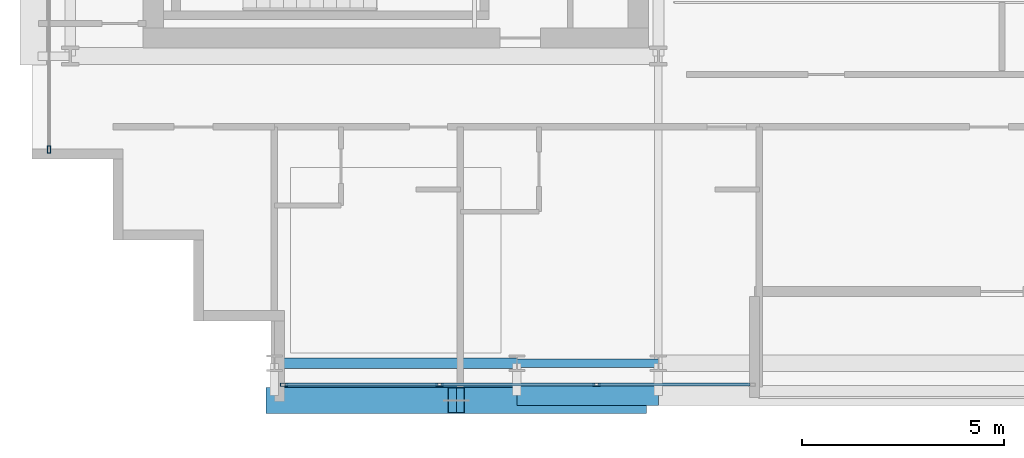
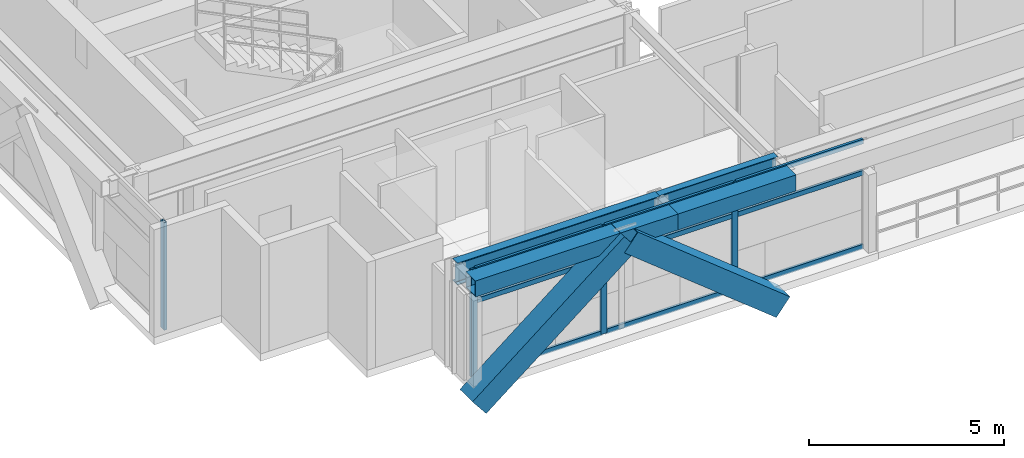
# One storey, part 2 of 31: 15 members, 4 beams, 2 elements without a shape of their own.
"""IFC4 building model written with IfcOpenShell, lengths in metres."""

from ifc_helpers import new_model, si_unit, direction, frame, origin, origin_2d, place, context, subcontext, project, spatial, hollow_rectangle, i_section, extrude, source, transform, mapped, material, layer, layer_set, material_profile, profile_set, type_object, element, aggregate, save


model = new_model("IFC4")

# Units and contexts
model_context = context("Model", 3, precision=1e-05, world=origin(), true_north=direction((0.0, 1.0)))
body_context = subcontext(model_context, "Body", "Model", "MODEL_VIEW")
ifc_project = project(units=[si_unit("LENGTHUNIT", "METRE"), si_unit("AREAUNIT", "SQUARE_METRE"), si_unit("VOLUMEUNIT", "CUBIC_METRE"), si_unit("PLANEANGLEUNIT", "RADIAN"), si_unit("MASSUNIT", "GRAM", prefix="KILO")], contexts=[model_context])

# Site, building, storey
site_placement = place(None, origin())
site = spatial("IfcSite", under=ifc_project, at=site_placement, CompositionType="ELEMENT")
building_placement = place(site_placement, origin())
building = spatial("IfcBuilding", under=site, at=building_placement, Name="Ocotamira Hotel", CompositionType="ELEMENT")
storey_placement = place(building_placement, frame((0.0, 0.0, 210.0)))
storey = spatial("IfcBuildingStorey", under=building, at=storey_placement, Name="L53", CompositionType="ELEMENT", Elevation=210.0)

# Beams
ifc_material_1 = material(Name="Steel ASTM A992 Grade 50", Category="steel")
ifc_material_profile_1 = material_profile(ifc_material_1, i_section(OverallWidth=0.256103515625, OverallDepth=0.693115234375, WebThickness=0.014404296875, FlangeThickness=0.023681640625, FilletRadius=0.01611328125, at=origin_2d()), Name="W27X114")
ifc_profile_set_1 = profile_set([ifc_material_profile_1], Name="Steel ASTM A992 Grade 50")
beam_type_1 = type_object("IfcBeamType", Name="BM-PRIM-W27X114", PredefinedType="BEAM", material=ifc_profile_set_1)
shared_shape_1 = source(origin(), body_context, "Body", "SweptSolid", [
    extrude(i_section(OverallWidth=0.256103515625, OverallDepth=0.693115234375, WebThickness=0.014404296875, FlangeThickness=0.023681640625, FilletRadius=0.01611328125, at=origin_2d()), origin(), (0.0, 0.0, 1.0), 6.0),
])
beam_1_placement = place(storey_placement, frame((14.0, 6.949951171875, 3.0234375), z_axis=(1.0, 0.0, 0.0), x_axis=(0.0, 1.0, 0.0)))
element("IfcBeam", 1, at=beam_1_placement, inside=storey, type_object=beam_type_1, Name="L53 Girder Y6.95 X14-20", PredefinedType="BEAM", context=body_context, shape_type="MappedRepresentation", body=[
    mapped(shared_shape_1, transform((0.0, 0.0, 0.0), scale=1.0)),
])
ifc_material_profile_2 = material_profile(ifc_material_1, i_section(OverallWidth=0.2099609375, OverallDepth=0.537109375, WebThickness=0.010986328125, FlangeThickness=0.017333984375, FilletRadius=0.012939453125, at=origin_2d()), Name="W21X68")
ifc_profile_set_2 = profile_set([ifc_material_profile_2], Name="Steel ASTM A992 Grade 50")
beam_type_2 = type_object("IfcBeamType", Name="BM-SEC-W21X68", PredefinedType="JOIST", material=ifc_profile_set_2)
shared_shape_2 = source(origin(), body_context, "Body", "SweptSolid", [
    extrude(i_section(OverallWidth=0.2099609375, OverallDepth=0.537109375, WebThickness=0.010986328125, FlangeThickness=0.017333984375, FilletRadius=0.012939453125, at=origin_2d()), origin(), (0.0, 0.0, 1.0), 3.5),
])
beam_2_placement = place(storey_placement, frame((20.0, 6.949951171875, 3.1015625), z_axis=(1.0, 0.0, 0.0), x_axis=(0.0, 1.0, 0.0)))
element("IfcBeam", 2, at=beam_2_placement, inside=storey, type_object=beam_type_2, Name="L53 Girder Y6.95 X20-23.5", PredefinedType="JOIST", context=body_context, shape_type="MappedRepresentation", body=[
    mapped(shared_shape_2, transform((0.0, 0.0, 0.0), scale=1.0)),
])
ifc_material_2 = material(Name="Steel ASTM A500 Grade C", Category="steel")
ifc_material_profile_3 = material_profile(ifc_material_2, hollow_rectangle(XDim=0.5, YDim=0.5, WallThickness=0.02001953125, at=origin_2d()), Name="HSS500X500X20")
ifc_profile_set_3 = profile_set([ifc_material_profile_3], Name="Steel ASTM A500 Grade C")
beam_type_3 = type_object("IfcBeamType", Name="BM-SPAN-HSS500", PredefinedType="USERDEFINED", material=ifc_profile_set_3)
shared_shape_3 = source(origin(), body_context, "Body", "SweptSolid", [
    extrude(hollow_rectangle(XDim=0.5, YDim=0.5, WallThickness=0.02001953125, at=origin_2d()), origin(), (0.0, 0.0, 1.0), 6.0),
])
beam_3_placement = place(storey_placement, frame((14.0, 6.14990234375, 3.1201171875), z_axis=(1.0, 0.0, 0.0), x_axis=(0.0, 1.0, 0.0)))
element("IfcBeam", 3, at=beam_3_placement, inside=storey, type_object=beam_type_3, Name="L53 Edge Spandrel S X14-20", ObjectType="SPANDREL", PredefinedType="USERDEFINED", context=body_context, shape_type="MappedRepresentation", body=[
    mapped(shared_shape_3, transform((0.0, 0.0, 0.0), scale=1.0)),
])
shared_shape_4 = source(origin(), body_context, "Body", "SweptSolid", [
    extrude(hollow_rectangle(XDim=0.5, YDim=0.5, WallThickness=0.02001953125, at=origin_2d()), origin(), (0.0, 0.0, 1.0), 3.5),
])
beam_4_placement = place(storey_placement, frame((20.0, 6.14990234375, 3.1201171875), z_axis=(1.0, 0.0, 0.0), x_axis=(0.0, 1.0, 0.0)))
element("IfcBeam", 4, at=beam_4_placement, inside=storey, type_object=beam_type_3, Name="L53 Edge Spandrel S X20-23.5", ObjectType="SPANDREL", PredefinedType="USERDEFINED", context=body_context, shape_type="MappedRepresentation", body=[
    mapped(shared_shape_4, transform((0.0, 0.0, 0.0), scale=1.0)),
])

# Members
ifc_material_3 = material(Name="Pale-metal coated steel ASTM A913 Grade 65", Category="steel")
ifc_material_profile_4 = material_profile(ifc_material_3, hollow_rectangle(XDim=0.64990234375, YDim=0.64990234375, WallThickness=0.02197265625, at=origin_2d()), Name="BOX650X650X22")
ifc_profile_set_4 = profile_set([ifc_material_profile_4], Name="Pale-metal coated steel ASTM A913 Grade 65")
member_type_1 = type_object("IfcMemberType", Name="MEM-EXO-BOX650", PredefinedType="BRACE", material=ifc_profile_set_4)
shared_shape_5 = source(origin(), body_context, "Body", "SweptSolid", [
    extrude(hollow_rectangle(XDim=0.64990234375, YDim=0.64990234375, WallThickness=0.02197265625, at=origin_2d()), origin(), (0.0, 0.0, 1.0), 5.762939453125),
])
for number, where, z_axis, x_axis, name in (
    (5, (14.0, 6.030029296875, -0.47998046875), (0.780860543151, 0.0, 0.624705380279), (0.0, 1.0, 0.0), "L53 Exoskeleton Diagrid S0.1"),
    (6, (23.0, 6.030029296875, -0.47998046875), (-0.780860543151, 0.0, 0.624705380279), (0.0, -1.0, 0.0), "L53 Exoskeleton Diagrid S0.2"),
):
    element("IfcMember", number, at=place(storey_placement, frame(where, z_axis=z_axis, x_axis=x_axis)), inside=storey, type_object=member_type_1, Name=name, PredefinedType="BRACE", context=body_context, shape_type="MappedRepresentation", body=[
        mapped(shared_shape_5, transform((0.0, 0.0, 0.0), scale=1.0)),
    ])

# Curtain wall, members
ifc_material_4 = material(Name="Anodised pale-metal aluminium and solar glass", Category="aluminium")
ifc_layer = layer(ifc_material_4, 0.199951171875)
ifc_layer_set = layer_set([ifc_layer], Name="Anodised pale-metal aluminium and solar glass")
curtain_wall_type = type_object("IfcCurtainWallType", Name="CW-SYS4-Z3", PredefinedType="NOTDEFINED", material=ifc_layer_set)
curtain_wall_1_placement = place(storey_placement, origin())
curtain_wall_1 = element("IfcCurtainWall", 7, at=curtain_wall_1_placement, inside=storey, type_object=curtain_wall_type, Name="L53 Curtain Wall CW-4 CW-L53-S1", PredefinedType="NOTDEFINED")
ifc_material_5 = material(Name="Anodised pale-metal aluminium 6063-T6", Category="aluminium")
ifc_material_profile_5 = material_profile(ifc_material_5, hollow_rectangle(XDim=0.080078125, YDim=0.179931640625, WallThickness=0.006103515625, at=origin_2d()), Name="HSS180X80X6")
ifc_profile_set_5 = profile_set([ifc_material_profile_5], Name="Anodised pale-metal aluminium 6063-T6")
member_type_2 = type_object("IfcMemberType", Name="CWM-180X75", PredefinedType="MULLION", material=ifc_profile_set_5)
shared_shape_6 = source(origin(), body_context, "Body", "SweptSolid", [
    extrude(hollow_rectangle(XDim=0.080078125, YDim=0.179931640625, WallThickness=0.006103515625, at=origin_2d()), origin(), (0.0, 0.0, 1.0), 3.3701171875),
])
member_1_placement = place(storey_placement, frame((14.239990234375, 6.419921875, 0.0), z_axis=(0.0, 0.0, 1.0), x_axis=(0.0, 1.0, 0.0)))
member_1 = element("IfcMember", 8, at=member_1_placement, type_object=member_type_2, Name="CW-4 mullion 1", PredefinedType="MULLION", context=body_context, shape_type="MappedRepresentation", body=[
    mapped(shared_shape_6, transform((0.0, 0.0, 0.0), scale=1.0)),
])
member_2_placement = place(storey_placement, frame((18.083251953125, 6.419921875, 0.0), z_axis=(0.0, 0.0, 1.0), x_axis=(0.0, 1.0, 0.0)))
member_2 = element("IfcMember", 9, at=member_2_placement, type_object=member_type_2, Name="CW-4 mullion 2", PredefinedType="MULLION", context=body_context, shape_type="MappedRepresentation", body=[
    mapped(shared_shape_6, transform((0.0, 0.0, 0.0), scale=1.0)),
])
member_3_placement = place(storey_placement, frame((21.966552734375, 6.419921875, 0.0), z_axis=(0.0, 0.0, 1.0), x_axis=(0.0, 1.0, 0.0)))
member_3 = element("IfcMember", 10, at=member_3_placement, type_object=member_type_2, Name="CW-4 mullion 3", PredefinedType="MULLION", context=body_context, shape_type="MappedRepresentation", body=[
    mapped(shared_shape_6, transform((0.0, 0.0, 0.0), scale=1.0)),
])

# Curtain wall, member
curtain_wall_2_placement = place(storey_placement, origin())
curtain_wall_2 = element("IfcCurtainWall", 11, at=curtain_wall_2_placement, inside=storey, type_object=curtain_wall_type, Name="L53 Curtain Wall CW-4 CW-L53-W", PredefinedType="NOTDEFINED")
member_4_placement = place(storey_placement, frame((8.419921875, 12.239990234375, 0.0), z_axis=(0.0, 0.0, 1.0), x_axis=(-1.0, 0.0, 0.0)))
member_4 = element("IfcMember", 12, at=member_4_placement, type_object=member_type_2, Name="CW-4 mullion 1", PredefinedType="MULLION", context=body_context, shape_type="MappedRepresentation", body=[
    mapped(shared_shape_6, transform((0.0, 0.0, 0.0), scale=1.0)),
])
aggregate(curtain_wall_2, [member_4])

# Member
ifc_material_profile_6 = material_profile(ifc_material_5, hollow_rectangle(XDim=0.074951171875, YDim=0.14990234375, WallThickness=0.006103515625, at=origin_2d()), Name="HSS150X75X6")
ifc_profile_set_6 = profile_set([ifc_material_profile_6], Name="Anodised pale-metal aluminium 6063-T6")
member_type_3 = type_object("IfcMemberType", Name="CWT-150X75", PredefinedType="USERDEFINED", material=ifc_profile_set_6)
shared_shape_7 = source(origin(), body_context, "Body", "SweptSolid", [
    extrude(hollow_rectangle(XDim=0.074951171875, YDim=0.14990234375, WallThickness=0.006103515625, at=origin_2d()), origin(), (0.0, 0.0, 1.0), 3.76318359375),
])
member_5_placement = place(storey_placement, frame((14.280029296875, 6.419921875, 0.03759765625), z_axis=(1.0, 0.0, 0.0), x_axis=(0.0, 1.0, 0.0)))
member_5 = element("IfcMember", 13, at=member_5_placement, type_object=member_type_3, Name="CW-4 transom 1.1", ObjectType="TRANSOM", PredefinedType="USERDEFINED", context=body_context, shape_type="MappedRepresentation", body=[
    mapped(shared_shape_7, transform((0.0, 0.0, 0.0), scale=1.0)),
])

member_6_placement = place(storey_placement, frame((14.280029296875, 6.419921875, 2.35009765625), z_axis=(1.0, 0.0, 0.0), x_axis=(0.0, 1.0, 0.0)))
member_6 = element("IfcMember", 14, at=member_6_placement, type_object=member_type_3, Name="CW-4 transom 1.2", ObjectType="TRANSOM", PredefinedType="USERDEFINED", context=body_context, shape_type="MappedRepresentation", body=[
    mapped(shared_shape_7, transform((0.0, 0.0, 0.0), scale=1.0)),
])

member_7_placement = place(storey_placement, frame((14.280029296875, 6.419921875, 3.33251953125), z_axis=(1.0, 0.0, 0.0), x_axis=(0.0, 1.0, 0.0)))
member_7 = element("IfcMember", 15, at=member_7_placement, type_object=member_type_3, Name="CW-4 transom 1.3", ObjectType="TRANSOM", PredefinedType="USERDEFINED", context=body_context, shape_type="MappedRepresentation", body=[
    mapped(shared_shape_7, transform((0.0, 0.0, 0.0), scale=1.0)),
])

shared_shape_8 = source(origin(), body_context, "Body", "SweptSolid", [
    extrude(hollow_rectangle(XDim=0.074951171875, YDim=0.14990234375, WallThickness=0.006103515625, at=origin_2d()), origin(), (0.0, 0.0, 1.0), 3.803466796875),
])
member_8_placement = place(storey_placement, frame((18.123291015625, 6.419921875, 0.03759765625), z_axis=(1.0, 0.0, 0.0), x_axis=(0.0, 1.0, 0.0)))
member_8 = element("IfcMember", 16, at=member_8_placement, type_object=member_type_3, Name="CW-4 transom 2.1", ObjectType="TRANSOM", PredefinedType="USERDEFINED", context=body_context, shape_type="MappedRepresentation", body=[
    mapped(shared_shape_8, transform((0.0, 0.0, 0.0), scale=1.0)),
])

member_9_placement = place(storey_placement, frame((18.123291015625, 6.419921875, 2.35009765625), z_axis=(1.0, 0.0, 0.0), x_axis=(0.0, 1.0, 0.0)))
member_9 = element("IfcMember", 17, at=member_9_placement, type_object=member_type_3, Name="CW-4 transom 2.2", ObjectType="TRANSOM", PredefinedType="USERDEFINED", context=body_context, shape_type="MappedRepresentation", body=[
    mapped(shared_shape_8, transform((0.0, 0.0, 0.0), scale=1.0)),
])

member_10_placement = place(storey_placement, frame((18.123291015625, 6.419921875, 3.33251953125), z_axis=(1.0, 0.0, 0.0), x_axis=(0.0, 1.0, 0.0)))
member_10 = element("IfcMember", 18, at=member_10_placement, type_object=member_type_3, Name="CW-4 transom 2.3", ObjectType="TRANSOM", PredefinedType="USERDEFINED", context=body_context, shape_type="MappedRepresentation", body=[
    mapped(shared_shape_8, transform((0.0, 0.0, 0.0), scale=1.0)),
])

shared_shape_9 = source(origin(), body_context, "Body", "SweptSolid", [
    extrude(hollow_rectangle(XDim=0.074951171875, YDim=0.14990234375, WallThickness=0.006103515625, at=origin_2d()), origin(), (0.0, 0.0, 1.0), 3.763427734375),
])
member_11_placement = place(storey_placement, frame((22.006591796875, 6.419921875, 0.03759765625), z_axis=(1.0, 0.0, 0.0), x_axis=(0.0, 1.0, 0.0)))
member_11 = element("IfcMember", 19, at=member_11_placement, type_object=member_type_3, Name="CW-4 transom 3.1", ObjectType="TRANSOM", PredefinedType="USERDEFINED", context=body_context, shape_type="MappedRepresentation", body=[
    mapped(shared_shape_9, transform((0.0, 0.0, 0.0), scale=1.0)),
])

member_12_placement = place(storey_placement, frame((22.006591796875, 6.419921875, 2.35009765625), z_axis=(1.0, 0.0, 0.0), x_axis=(0.0, 1.0, 0.0)))
member_12 = element("IfcMember", 20, at=member_12_placement, type_object=member_type_3, Name="CW-4 transom 3.2", ObjectType="TRANSOM", PredefinedType="USERDEFINED", context=body_context, shape_type="MappedRepresentation", body=[
    mapped(shared_shape_9, transform((0.0, 0.0, 0.0), scale=1.0)),
])

member_13_placement = place(storey_placement, frame((22.006591796875, 6.419921875, 3.33251953125), z_axis=(1.0, 0.0, 0.0), x_axis=(0.0, 1.0, 0.0)))
member_13 = element("IfcMember", 21, at=member_13_placement, type_object=member_type_3, Name="CW-4 transom 3.3", ObjectType="TRANSOM", PredefinedType="USERDEFINED", context=body_context, shape_type="MappedRepresentation", body=[
    mapped(shared_shape_9, transform((0.0, 0.0, 0.0), scale=1.0)),
])

aggregate(curtain_wall_1, [member_1, member_2, member_3, member_5, member_6, member_7, member_8, member_9, member_10, member_11, member_12, member_13])

save(model, "model.ifc")
